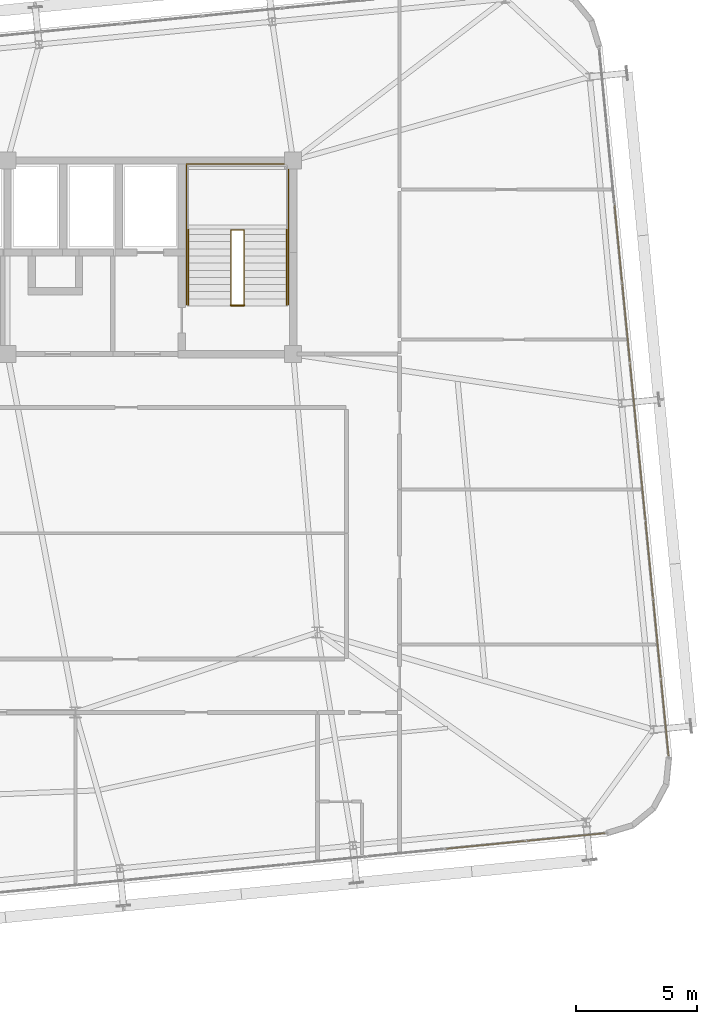
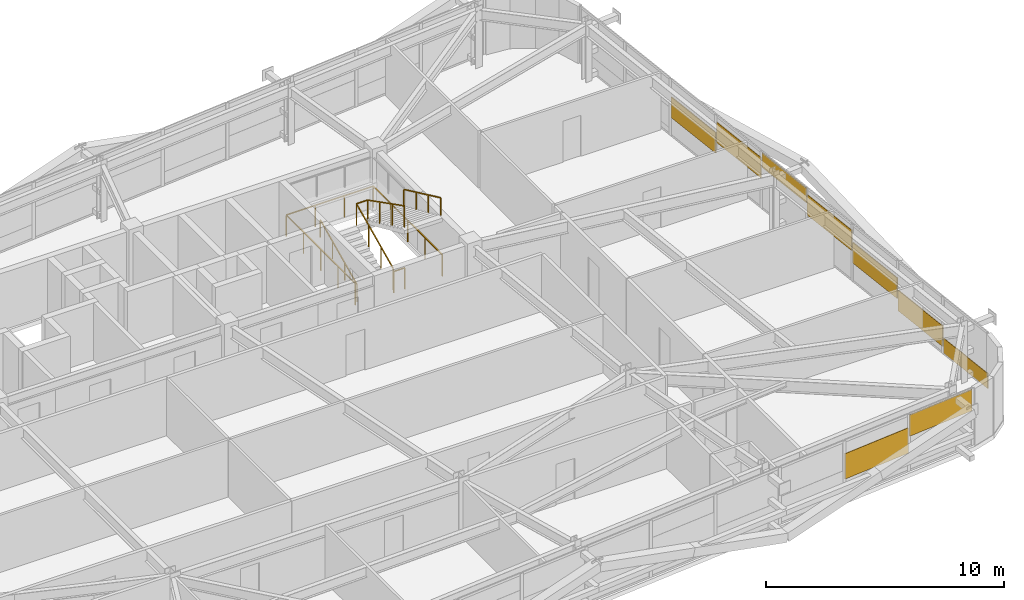
# One storey, part 51 of 52: 9 coverings, 5 railings.
"""IFC4 building model written with IfcOpenShell, lengths in metres."""

from ifc_helpers import new_model, si_unit, direction, frame, origin, origin_2d, place, context, subcontext, project, spatial, rectangle, extrude, source, transform, mapped, material, layer, layer_set, type_object, element, save


model = new_model("IFC4")

# Units and contexts
model_context = context("Model", 3, precision=1e-05, world=origin(), true_north=direction((0.0, 1.0)))
body_context = subcontext(model_context, "Body", "Model", "MODEL_VIEW")
ifc_project = project(units=[si_unit("LENGTHUNIT", "METRE"), si_unit("AREAUNIT", "SQUARE_METRE"), si_unit("VOLUMEUNIT", "CUBIC_METRE"), si_unit("PLANEANGLEUNIT", "RADIAN"), si_unit("MASSUNIT", "GRAM", prefix="KILO")], contexts=[model_context])

# Site, building, storey
site_placement = place(None, origin())
site = spatial("IfcSite", under=ifc_project, at=site_placement, CompositionType="ELEMENT")
building_placement = place(site_placement, origin())
building = spatial("IfcBuilding", under=site, at=building_placement, Name="Taldren Reach Tower", CompositionType="ELEMENT")
storey_placement = place(building_placement, frame((0.0, 0.0, 74.550048828125)))
storey = spatial("IfcBuildingStorey", under=building, at=storey_placement, Name="L22", CompositionType="ELEMENT", Elevation=74.550048828125)

# Railings
ifc_material_1 = material(Name="Steel Gr 350 (C350L0)", Category="steel")
ifc_layer_1 = layer(ifc_material_1, 0.050048828125)
ifc_layer_set_1 = layer_set([ifc_layer_1], Name="Steel Gr 350 (C350L0)")
railing_type_1 = type_object("IfcRailingType", Name="RL-STAIR-GR", PredefinedType="GUARDRAIL", material=ifc_layer_set_1)
railing_1_placement = place(storey_placement, frame((48.429931640625, 26.050048828125, 0.131103515625)))
element("IfcRailing", 1, at=railing_1_placement, inside=storey, type_object=railing_type_1, Name="Stairwell inner guard ST2-L22", PredefinedType="GUARDRAIL", context=body_context, shape_type="SweptSolid", body=[
    extrude(rectangle(XDim=0.047852, YDim=0.047852, at=origin_2d()), frame((0.0, 0.0, 1.09619140625), z_axis=(0.0, 0.905710134349, 0.423897573167), x_axis=(-1.0, 0.0, 0.0)), (0.0, 0.0, 1.0), 3.406005859375),
    extrude(rectangle(XDim=0.047852, YDim=0.047852, at=origin_2d()), frame((0.0, 3.0849609375, 2.5400390625), z_axis=(1.0, 0.0, 0.0), x_axis=(0.0, 1.0, 0.0)), (0.0, 0.0, 1.0), 0.5400390625),
    extrude(rectangle(XDim=0.047852, YDim=0.047852, at=origin_2d()), frame((0.5400390625, 3.0849609375, 2.5400390625), z_axis=(0.0, -0.890645957773, 0.45469745755), x_axis=(1.0, 0.0, 0.0)), (0.0, 0.0, 1.0), 3.463623046875),
    extrude(rectangle(XDim=0.041992, YDim=0.041992, at=origin_2d()), origin(), (0.0, 0.0, 1.0), 1.072021484375),
    extrude(rectangle(XDim=0.041992, YDim=0.041992, at=origin_2d()), frame((0.0, 1.0283203125, 0.481201171875)), (0.0, 0.0, 1.0), 1.072021484375),
    extrude(rectangle(XDim=0.041992, YDim=0.041992, at=origin_2d()), frame((0.0, 2.056640625, 0.962646484375)), (0.0, 0.0, 1.0), 1.072021484375),
    extrude(rectangle(XDim=0.041992, YDim=0.041992, at=origin_2d()), frame((0.0, 3.0849609375, 1.44384765625)), (0.0, 0.0, 1.0), 1.072021484375),
    extrude(rectangle(XDim=0.041992, YDim=0.041992, at=origin_2d()), frame((0.5400390625, 3.0849609375, 1.44384765625)), (0.0, 0.0, 1.0), 1.072021484375),
    extrude(rectangle(XDim=0.041992, YDim=0.041992, at=origin_2d()), frame((0.5400390625, 2.056640625, 1.96875)), (0.0, 0.0, 1.0), 1.072021484375),
    extrude(rectangle(XDim=0.041992, YDim=0.041992, at=origin_2d()), frame((0.5400390625, 1.0283203125, 2.493896484375)), (0.0, 0.0, 1.0), 1.072021484375),
    extrude(rectangle(XDim=0.041992, YDim=0.041992, at=origin_2d()), frame((0.5400390625, 0.0, 3.018798828125)), (0.0, 0.0, 1.0), 1.072021484375),
])
railing_2_placement = place(storey_placement, frame((48.429931640625, 26.010009765625, 0.0)))
element("IfcRailing", 2, at=railing_2_placement, inside=storey, type_object=railing_type_1, Name="Stairwell landing slot guard ST2-L22", PredefinedType="GUARDRAIL", context=body_context, shape_type="SweptSolid", body=[
    extrude(rectangle(XDim=0.047852, YDim=0.047852, at=origin_2d()), frame((0.0, 0.0, 1.09619140625), z_axis=(1.0, 0.0, 0.0), x_axis=(0.0, 1.0, 0.0)), (0.0, 0.0, 1.0), 0.5400390625),
    extrude(rectangle(XDim=0.041992, YDim=0.041992, at=origin_2d()), origin(), (0.0, 0.0, 1.0), 1.072021484375),
    extrude(rectangle(XDim=0.041992, YDim=0.041992, at=origin_2d()), frame((0.5400390625, 0.0, 0.0)), (0.0, 0.0, 1.0), 1.072021484375),
])
railing_3_placement = place(storey_placement, frame((46.590087890625, 26.050048828125, 0.0)))
element("IfcRailing", 3, at=railing_3_placement, inside=storey, type_object=railing_type_1, Name="Stairwell floor opening guard ST2-L22", PredefinedType="GUARDRAIL", context=body_context, shape_type="SweptSolid", body=[
    extrude(rectangle(XDim=0.047852, YDim=0.047852, at=origin_2d()), frame((0.0, 0.0, 1.09619140625), z_axis=(0.0, 1.0, 0.0), x_axis=(-1.0, 0.0, 0.0)), (0.0, 0.0, 1.0), 5.800048828125),
    extrude(rectangle(XDim=0.047852, YDim=0.047852, at=origin_2d()), frame((0.0, 5.800048828125, 1.09619140625), z_axis=(1.0, 0.0, 0.0), x_axis=(0.0, 1.0, 0.0)), (0.0, 0.0, 1.0), 4.219970703125),
    extrude(rectangle(XDim=0.047852, YDim=0.047852, at=origin_2d()), frame((4.219970703125, 5.800048828125, 1.09619140625), z_axis=(0.0, -1.0, 0.0), x_axis=(1.0, 0.0, 0.0)), (0.0, 0.0, 1.0), 5.800048828125),
    extrude(rectangle(XDim=0.041992, YDim=0.041992, at=origin_2d()), origin(), (0.0, 0.0, 1.0), 1.072021484375),
    extrude(rectangle(XDim=0.041992, YDim=0.041992, at=origin_2d()), frame((0.0, 1.449951171875, 0.0)), (0.0, 0.0, 1.0), 1.072021484375),
    extrude(rectangle(XDim=0.041992, YDim=0.041992, at=origin_2d()), frame((0.0, 2.89990234375, 0.0)), (0.0, 0.0, 1.0), 1.072021484375),
    extrude(rectangle(XDim=0.041992, YDim=0.041992, at=origin_2d()), frame((0.0, 4.35009765625, 0.0)), (0.0, 0.0, 1.0), 1.072021484375),
    extrude(rectangle(XDim=0.041992, YDim=0.041992, at=origin_2d()), frame((0.0, 5.800048828125, 0.0)), (0.0, 0.0, 1.0), 1.072021484375),
    extrude(rectangle(XDim=0.041992, YDim=0.041992, at=origin_2d()), frame((1.40673828125, 5.800048828125, 0.0)), (0.0, 0.0, 1.0), 1.072021484375),
    extrude(rectangle(XDim=0.041992, YDim=0.041992, at=origin_2d()), frame((2.813232421875, 5.800048828125, 0.0)), (0.0, 0.0, 1.0), 1.072021484375),
    extrude(rectangle(XDim=0.041992, YDim=0.041992, at=origin_2d()), frame((4.219970703125, 5.800048828125, 0.0)), (0.0, 0.0, 1.0), 1.072021484375),
    extrude(rectangle(XDim=0.041992, YDim=0.041992, at=origin_2d()), frame((4.219970703125, 4.35009765625, 0.0)), (0.0, 0.0, 1.0), 1.072021484375),
    extrude(rectangle(XDim=0.041992, YDim=0.041992, at=origin_2d()), frame((4.219970703125, 2.89990234375, 0.0)), (0.0, 0.0, 1.0), 1.072021484375),
    extrude(rectangle(XDim=0.041992, YDim=0.041992, at=origin_2d()), frame((4.219970703125, 1.449951171875, 0.0)), (0.0, 0.0, 1.0), 1.072021484375),
    extrude(rectangle(XDim=0.041992, YDim=0.041992, at=origin_2d()), frame((4.219970703125, 0.0, 0.0)), (0.0, 0.0, 1.0), 1.072021484375),
])
ifc_material_2 = material(Name="Stainless Steel Gr 316", Category="steel")
ifc_layer_2 = layer(ifc_material_2, 0.048095703125)
ifc_layer_set_2 = layer_set([ifc_layer_2], Name="Stainless Steel Gr 316")
railing_type_2 = type_object("IfcRailingType", Name="RL-STAIR-HR", PredefinedType="HANDRAIL", material=ifc_layer_set_2)
railing_4_placement = place(storey_placement, frame((46.669921875, 26.050048828125, 0.131103515625)))
element("IfcRailing", 4, at=railing_4_placement, inside=storey, type_object=railing_type_2, Name="Stair flight handrail ST2-L22-1", PredefinedType="HANDRAIL", context=body_context, shape_type="SweptSolid", body=[
    extrude(rectangle(XDim=0.047852, YDim=0.047852, at=origin_2d()), frame((0.0, 0.0, 0.89599609375), z_axis=(0.0, 0.905710134349, 0.423897573167), x_axis=(-1.0, 0.0, 0.0)), (0.0, 0.0, 1.0), 3.406005859375),
    extrude(rectangle(XDim=0.041992, YDim=0.041992, at=origin_2d()), origin(), (0.0, 0.0, 1.0), 0.871826171875),
    extrude(rectangle(XDim=0.041992, YDim=0.041992, at=origin_2d()), frame((0.0, 1.0283203125, 0.481201171875)), (0.0, 0.0, 1.0), 0.871826171875),
    extrude(rectangle(XDim=0.041992, YDim=0.041992, at=origin_2d()), frame((0.0, 2.056640625, 0.962646484375)), (0.0, 0.0, 1.0), 0.871826171875),
    extrude(rectangle(XDim=0.041992, YDim=0.041992, at=origin_2d()), frame((0.0, 3.0849609375, 1.44384765625)), (0.0, 0.0, 1.0), 0.871826171875),
])
railing_5_placement = place(storey_placement, frame((50.72998046875, 29.135009765625, 1.7060546875)))
element("IfcRailing", 5, at=railing_5_placement, inside=storey, type_object=railing_type_2, Name="Stair flight handrail ST2-L22-2", PredefinedType="HANDRAIL", context=body_context, shape_type="SweptSolid", body=[
    extrude(rectangle(XDim=0.047852, YDim=0.047852, at=origin_2d()), frame((0.0, 0.0, 0.89599609375), z_axis=(0.0, -0.905710134349, 0.423897573167), x_axis=(1.0, 0.0, 0.0)), (0.0, 0.0, 1.0), 3.406005859375),
    extrude(rectangle(XDim=0.041992, YDim=0.041992, at=origin_2d()), origin(), (0.0, 0.0, 1.0), 0.871826171875),
    extrude(rectangle(XDim=0.041992, YDim=0.041992, at=origin_2d()), frame((0.0, -1.0283203125, 0.481201171875)), (0.0, 0.0, 1.0), 0.871826171875),
    extrude(rectangle(XDim=0.041992, YDim=0.041992, at=origin_2d()), frame((0.0, -2.056640625, 0.962646484375)), (0.0, 0.0, 1.0), 0.871826171875),
    extrude(rectangle(XDim=0.041992, YDim=0.041992, at=origin_2d()), frame((0.0, -3.0849609375, 1.44384765625)), (0.0, 0.0, 1.0), 0.871826171875),
])

# Coverings
ifc_material_3 = material(Name="Pale Champagne Fluoropolymer Aluminium Spandrel Cladding", Category="aluminium")
ifc_layer_3 = layer(ifc_material_3, 0.0439453125)
ifc_layer_set_3 = layer_set([ifc_layer_3], Name="Pale Champagne Fluoropolymer Aluminium Spandrel Cladding")
covering_type = type_object("IfcCoveringType", Name="CV-CLAD-044", PredefinedType="CLADDING", material=ifc_layer_set_3)
shared_shape_1 = source(origin(), body_context, "Body", "SweptSolid", [
    extrude(rectangle(XDim=3.23583984375, YDim=0.0439453125, at=origin_2d()), origin(), (0.0, 0.0, 1.0), 1.094970703125),
])
covering_1_placement = place(storey_placement, frame((62.274169921875, 4.04931640625, 1.77978515625), z_axis=(0.0, 0.0, 1.0), x_axis=(0.995227390247, 0.097582999046, 0.0)))
element("IfcCovering", 6, at=covering_1_placement, inside=storey, type_object=covering_type, Name="Diagrid closure cladding strip CW-3 panel 15.1 1", PredefinedType="CLADDING", context=body_context, shape_type="MappedRepresentation", body=[
    mapped(shared_shape_1, transform((0.0, 0.0, 0.0), scale=1.0)),
])
shared_shape_2 = source(origin(), body_context, "Body", "SweptSolid", [
    extrude(rectangle(XDim=3.268310546875, YDim=0.0439453125, at=origin_2d()), origin(), (0.0, 0.0, 1.0), 1.3046875),
])
covering_2_placement = place(storey_placement, frame((58.972900390625, 3.7255859375, 0.943359375), z_axis=(0.0, 0.0, 1.0), x_axis=(0.995227390247, 0.097582999046, 0.0)))
element("IfcCovering", 7, at=covering_2_placement, inside=storey, type_object=covering_type, Name="Diagrid closure cladding strip CW-3 panel 14.1 1", PredefinedType="CLADDING", context=body_context, shape_type="MappedRepresentation", body=[
    mapped(shared_shape_2, transform((0.0, 0.0, 0.0), scale=1.0)),
])
shared_shape_3 = source(origin(), body_context, "Body", "SweptSolid", [
    extrude(rectangle(XDim=3.212890625, YDim=0.0439453125, at=origin_2d()), origin(), (0.0, 0.0, 1.0), 1.053466796875),
])
for number, where, z_axis, x_axis, name in (
    (8, (66.03662109375, 12.232177734375, 0.35986328125), (0.0, 0.0, 1.0), (-0.09758274098, 0.99522741555, 0.0), "Diagrid closure cladding strip CW-3 panel 2.1 1"),
    (9, (65.716796875, 15.494384765625, 0.94775390625), (0.0, 0.0, 1.0), (-0.09758274098, 0.99522741555, 0.0), "Diagrid closure cladding strip CW-3 panel 3.1 1"),
    (10, (65.39697265625, 18.756591796875, 1.53515625), (0.0, 0.0, 1.0), (-0.09758274098, 0.99522741555, 0.0), "Diagrid closure cladding strip CW-3 panel 4.1 1"),
    (11, (64.757080078125, 25.28076171875, 1.53515625), (0.0, 0.0, 1.0), (-0.09758274098, 0.99522741555, 0.0), "Diagrid closure cladding strip CW-3 panel 6.1 1"),
    (12, (64.437255859375, 28.54296875, 0.94775390625), (0.0, 0.0, 1.0), (-0.09758274098, 0.99522741555, 0.0), "Diagrid closure cladding strip CW-3 panel 7.1 1"),
):
    element("IfcCovering", number, at=place(storey_placement, frame(where, z_axis=z_axis, x_axis=x_axis)), inside=storey, type_object=covering_type, Name=name, PredefinedType="CLADDING", context=body_context, shape_type="MappedRepresentation", body=[
        mapped(shared_shape_3, transform((0.0, 0.0, 0.0), scale=1.0)),
    ])
shared_shape_4 = source(origin(), body_context, "Body", "SweptSolid", [
    extrude(rectangle(XDim=3.18017578125, YDim=0.0439453125, at=origin_2d()), origin(), (0.0, 0.0, 1.0), 0.7705078125),
])
covering_3_placement = place(storey_placement, frame((66.35498046875, 8.986328125, 0.054931640625), z_axis=(0.0, 0.0, 1.0), x_axis=(-0.09758274098, 0.99522741555, 0.0)))
element("IfcCovering", 13, at=covering_3_placement, inside=storey, type_object=covering_type, Name="Diagrid closure cladding strip CW-3 panel 1.1 1", PredefinedType="CLADDING", context=body_context, shape_type="MappedRepresentation", body=[
    mapped(shared_shape_4, transform((0.0, 0.0, 0.0), scale=1.0)),
])
shared_shape_5 = source(origin(), body_context, "Body", "SweptSolid", [
    extrude(rectangle(XDim=3.212890625, YDim=0.0439453125, at=origin_2d()), origin(), (0.0, 0.0, 1.0), 0.751708984375),
])
covering_4_placement = place(storey_placement, frame((65.0771484375, 22.0185546875, 2.123046875), z_axis=(0.0, 0.0, 1.0), x_axis=(-0.09758274098, 0.99522741555, 0.0)))
element("IfcCovering", 14, at=covering_4_placement, inside=storey, type_object=covering_type, Name="Diagrid closure cladding strip CW-3 panel 5.1 1", PredefinedType="CLADDING", context=body_context, shape_type="MappedRepresentation", body=[
    mapped(shared_shape_5, transform((0.0, 0.0, 0.0), scale=1.0)),
])

save(model, "model.ifc")
